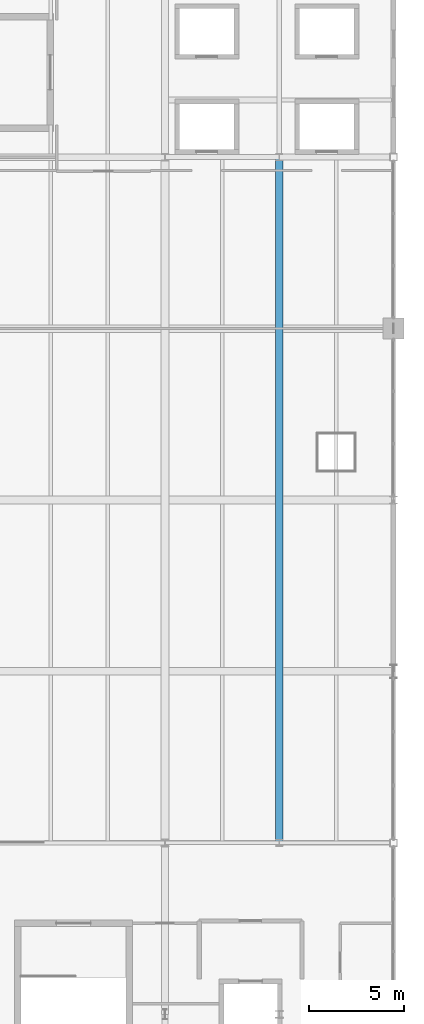
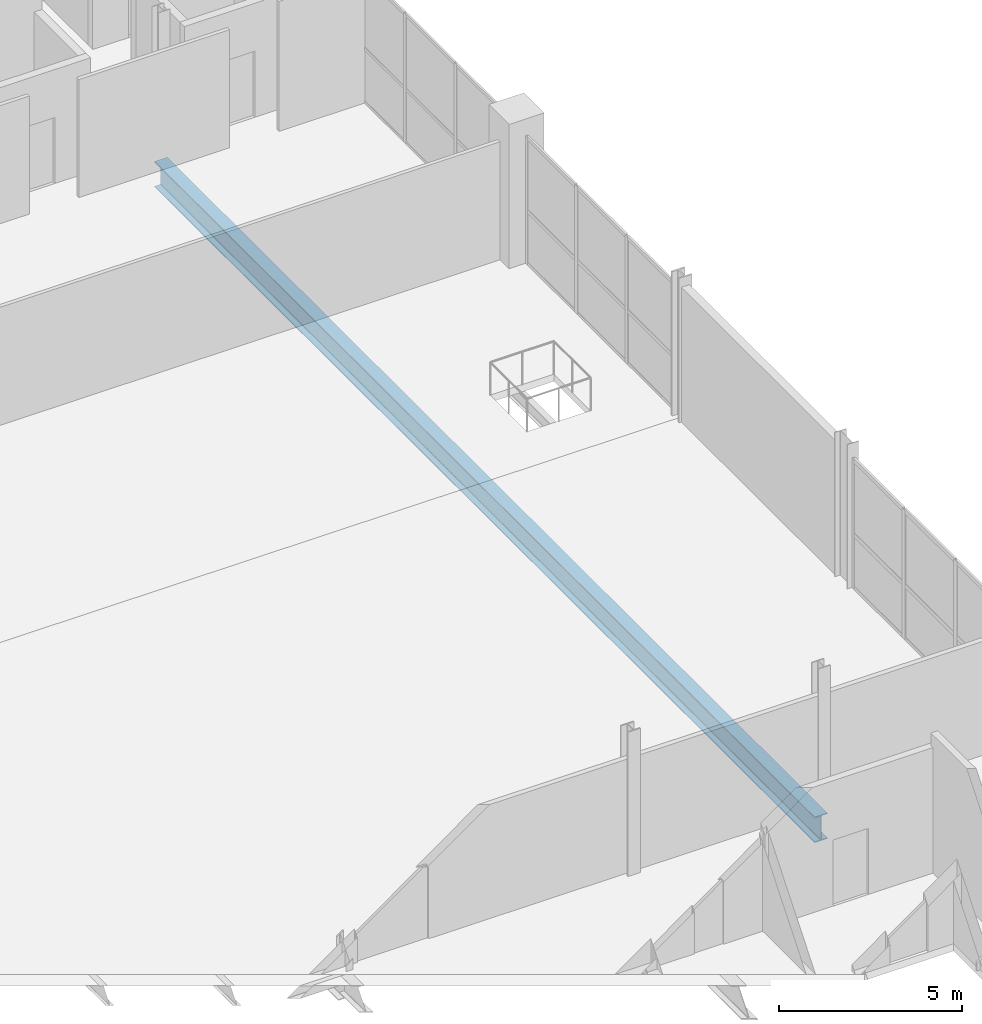
# One storey, part 15 of 29: 1 beam.
"""IFC4 building model written with IfcOpenShell, lengths in metres."""

from ifc_helpers import new_model, si_unit, direction, frame, origin, origin_2d, place, context, subcontext, project, spatial, i_section, extrude, material, material_profile, profile_set, type_object, element, save


model = new_model("IFC4")

# Units and contexts
model_context = context("Model", 3, precision=1e-05, world=origin(), true_north=direction((0.0, 1.0)))
body_context = subcontext(model_context, "Body", "Model", "MODEL_VIEW")
ifc_project = project(units=[si_unit("LENGTHUNIT", "METRE"), si_unit("AREAUNIT", "SQUARE_METRE"), si_unit("VOLUMEUNIT", "CUBIC_METRE"), si_unit("PLANEANGLEUNIT", "RADIAN"), si_unit("MASSUNIT", "GRAM", prefix="KILO")], contexts=[model_context])

# Site, building, storey
site_placement = place(None, origin())
site = spatial("IfcSite", under=ifc_project, at=site_placement, CompositionType="ELEMENT")
building_placement = place(site_placement, origin())
building = spatial("IfcBuilding", under=site, at=building_placement, Name="Qamarlyn Nura Convention Centre", CompositionType="ELEMENT")
storey_placement = place(building_placement, frame((0.0, 0.0, 25.199951171875)))
storey = spatial("IfcBuildingStorey", under=building, at=storey_placement, Name="L05", CompositionType="ELEMENT", Elevation=25.199951171875)

# Beam
ifc_material = material(Name="Steel ASTM A992", Category="steel")
ifc_material_profile = material_profile(ifc_material, i_section(OverallWidth=0.39990234375, OverallDepth=0.85498046875, WebThickness=0.018310546875, FlangeThickness=0.029296875, FilletRadius=0.02197265625, at=origin_2d()), Name="W840X299")
ifc_profile_set = profile_set([ifc_material_profile], Name="Steel ASTM A992")
beam_type = type_object("IfcBeamType", Name="BM-GIRD-840", PredefinedType="BEAM", material=ifc_profile_set)
beam_placement = place(storey_placement, frame((186.0, 18.0, -0.66748046875), z_axis=(0.0, 1.0, 0.0), x_axis=(-1.0, 0.0, 0.0)))
element("IfcBeam", 1, at=beam_placement, inside=storey, type_object=beam_type, Name="L05 girder 17 C-G", PredefinedType="BEAM", context=body_context, shape_type="SweptSolid", body=[
    extrude(i_section(OverallWidth=0.39990234375, OverallDepth=0.85498046875, WebThickness=0.018310546875, FlangeThickness=0.029296875, FilletRadius=0.02197265625, at=origin_2d()), origin(), (0.0, 0.0, 1.0), 36.0),
])

save(model, "model.ifc")
